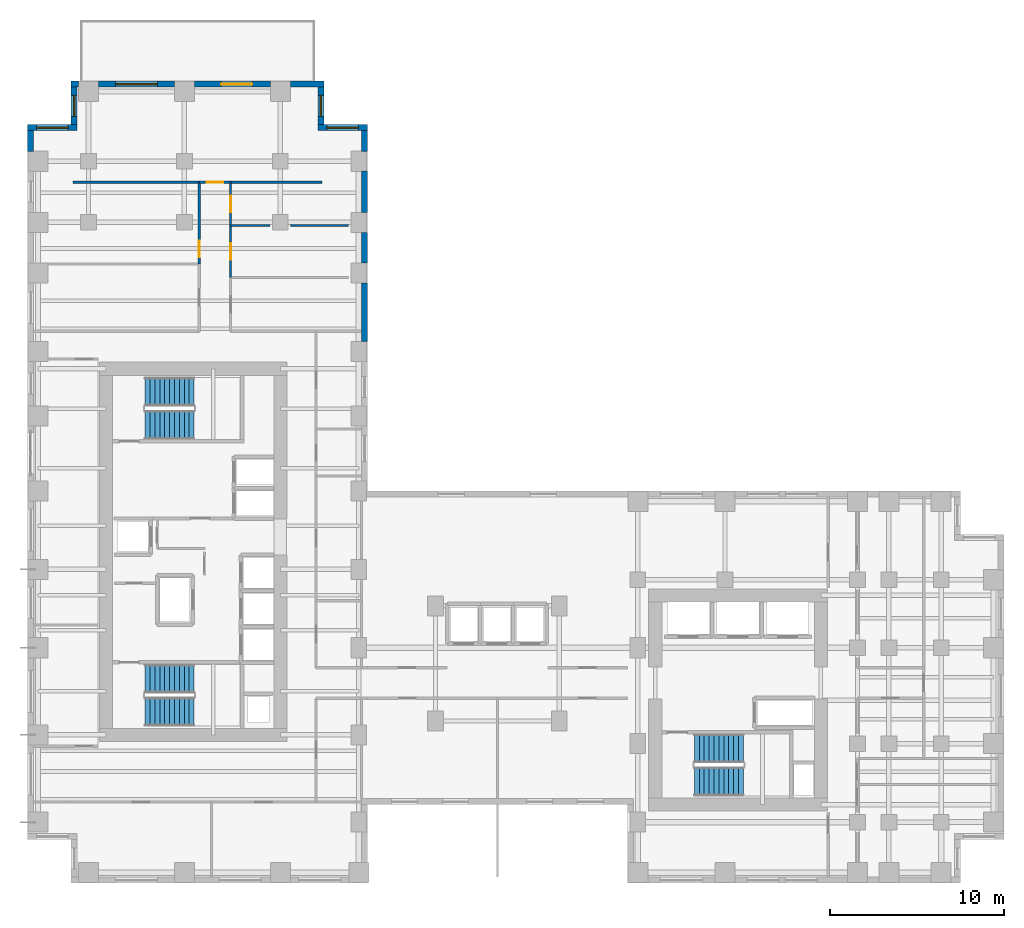
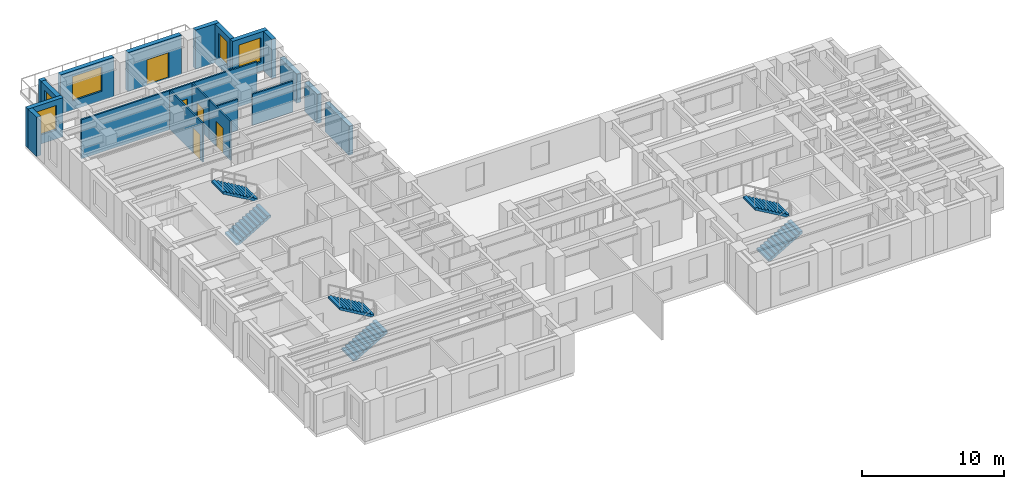
# One storey, part 10 of 13: 21 walls, 6 stair flights, 5 doors, 5 windows, 10 openings, 3 elements without a shape of their own.
"""IFC4 building model written with IfcOpenShell, lengths in metres."""

import ifcopenshell
import ifcopenshell.guid

model = None  # the IFC model being written
_history = None  # IfcOwnerHistory: only IFC2X3 demands one
_inside = {}  # id of a spatial element -> (the spatial element, [elements in it])
_under = {}  # id of a project, library or spatial element -> (it, [spatial elements below it])
_declared = {}  # id of a project -> (the project, [libraries it declares])
_typed = {}  # id of a type object -> (the type object, [elements of that type])
_made_of = {}  # id of a material, layer set ... -> (it, [elements and type objects made of it])


def new_model(schema):
    """Start an empty IFC model of exactly this schema.

    Asked for "IFC4X3", IfcOpenShell would pick the latest addendum, in which some entities
    have other attributes; the version numbers below select the first issue.
    IFC2X3 requires an IfcOwnerHistory on every rooted entity: one is made here for all.
    """
    global model, _history
    if schema == "IFC4X3":
        model = ifcopenshell.file(schema_version=(4, 3, 0, 0))
    else:
        model = ifcopenshell.file(schema=schema)
    _inside.clear()
    _under.clear()
    _declared.clear()
    _typed.clear()
    _made_of.clear()
    _history = None
    if model.schema == "IFC2X3":
        org = make("IfcOrganization", Name="unknown")
        user = make(
            "IfcPersonAndOrganization",
            ThePerson=make("IfcPerson", FamilyName="unknown"),
            TheOrganization=org,
        )
        app = make(
            "IfcApplication",
            ApplicationDeveloper=org,
            Version="unknown",
            ApplicationFullName="unknown",
            ApplicationIdentifier="unknown",
        )
        _history = make(
            "IfcOwnerHistory",
            OwningUser=user,
            OwningApplication=app,
            ChangeAction="ADDED",
            CreationDate=0,
        )
    return model


def make(cls, **values):
    """One entity of the class cls with the attributes given. An attribute that is None is left unset."""
    return model.create_entity(
        cls, **{name: value for name, value in values.items() if value is not None}
    )


def rooted(cls, **values):
    """An entity with a GlobalId (a new one), such as an element, a storey or a relation."""
    return make(cls, GlobalId=ifcopenshell.guid.new(), OwnerHistory=_history, **values)


def si_unit(unit_type, name, prefix=None):
    """IfcSIUnit, for example si_unit("LENGTHUNIT", "METRE", prefix="MILLI")."""
    return make("IfcSIUnit", UnitType=unit_type, Prefix=prefix, Name=name)


def assignment(units):
    """IfcUnitAssignment: the units of a project."""
    return None if units is None else make("IfcUnitAssignment", Units=units)


def point(xyz):
    """IfcCartesianPoint."""
    return None if xyz is None else make("IfcCartesianPoint", Coordinates=xyz)


def direction(xyz):
    """IfcDirection."""
    return None if xyz is None else make("IfcDirection", DirectionRatios=xyz)


def frame(location, z_axis=None, x_axis=None):
    """IfcAxis2Placement3D, a coordinate frame: its origin and axes. An axis left out is left unset."""
    return make(
        "IfcAxis2Placement3D",
        Location=point(location),
        Axis=direction(z_axis),
        RefDirection=direction(x_axis),
    )


def frame_2d(location, x_axis=None):
    """IfcAxis2Placement2D, a coordinate frame in the plane: its origin and x axis."""
    return make(
        "IfcAxis2Placement2D", Location=point(location), RefDirection=direction(x_axis)
    )


def origin():
    """The frame at (0, 0, 0) with its axes left unset."""
    return frame((0.0, 0.0, 0.0))


def place(relative_to, where):
    """IfcLocalPlacement: puts the frame where relative to a parent placement (None: the world)."""
    return make(
        "IfcLocalPlacement", PlacementRelTo=relative_to, RelativePlacement=where
    )


def context(
    kind, dimensions, precision=None, world=None, true_north=None, identifier=None
):
    """IfcGeometricRepresentationContext, for example the 3D "Model" context."""
    return make(
        "IfcGeometricRepresentationContext",
        ContextIdentifier=identifier,
        ContextType=kind,
        CoordinateSpaceDimension=dimensions,
        Precision=precision,
        WorldCoordinateSystem=world,
        TrueNorth=true_north,
    )


def subcontext(parent, identifier, kind, view, scale=None):
    """IfcGeometricRepresentationSubContext, for example "Body" below "Model"."""
    return make(
        "IfcGeometricRepresentationSubContext",
        ContextIdentifier=identifier,
        ContextType=kind,
        ParentContext=parent,
        TargetScale=scale,
        TargetView=view,
    )


def project(units=None, contexts=None):
    """IfcProject with its units and contexts."""
    return rooted(
        "IfcProject",
        Name="project",
        RepresentationContexts=contexts,
        UnitsInContext=assignment(units),
    )


def spatial(cls, under=None, at=None, **own):
    """A site, building, storey or space (cls), placed at a placement, below another one or the project."""
    s = rooted(cls, ObjectPlacement=at, **own)
    if under is not None:
        _under.setdefault(under.id(), (under, []))[1].append(s)
    return s


def polyline(points):
    """IfcPolyline through the points."""
    return make("IfcPolyline", Points=[point(p) for p in points])


def profile(cls, at=None, kind="AREA", **sizes):
    """A parametric profile (cls). Its sizes go by their IFC names, for example OverallWidth=200.0."""
    return make(cls, ProfileType=kind, Position=at, **sizes)


def rectangle(**sizes):
    """IfcRectangleProfileDef."""
    return profile("IfcRectangleProfileDef", **sizes)


def outline(outer, holes=None, kind="AREA"):
    """IfcArbitraryClosedProfileDef: a profile drawn as a closed curve; with holes, ...WithVoids."""
    if holes is None:
        return make("IfcArbitraryClosedProfileDef", ProfileType=kind, OuterCurve=outer)
    return make(
        "IfcArbitraryProfileDefWithVoids",
        ProfileType=kind,
        OuterCurve=outer,
        InnerCurves=holes,
    )


def extrude(swept, where, along, depth):
    """IfcExtrudedAreaSolid: the profile swept, set in the frame where, extruded along a direction by depth."""
    return make(
        "IfcExtrudedAreaSolid",
        SweptArea=swept,
        Position=where,
        ExtrudedDirection=direction(along),
        Depth=depth,
    )


def shape(context_of_items, identifier, shape_type, items):
    """IfcShapeRepresentation: the items that make up one representation, for example the "Body"."""
    return make(
        "IfcShapeRepresentation",
        ContextOfItems=context_of_items,
        RepresentationIdentifier=identifier,
        RepresentationType=shape_type,
        Items=items,
    )


def source(mapping_origin, context_of_items, identifier, shape_type, items):
    """IfcRepresentationMap: a shape defined once, which mapped items show again and again."""
    return make(
        "IfcRepresentationMap",
        MappingOrigin=mapping_origin,
        MappedRepresentation=shape(context_of_items, identifier, shape_type, items),
    )


def transform(
    local_origin,
    x_axis=None,
    y_axis=None,
    z_axis=None,
    scale=None,
    scale2=None,
    scale3=None,
    uniform=True,
):
    """IfcCartesianTransformationOperator3D, or its non-uniform kind. x_axis, y_axis, z_axis: its Axis1, 2, 3."""
    if uniform:
        return make(
            "IfcCartesianTransformationOperator3D",
            Axis1=direction(x_axis),
            Axis2=direction(y_axis),
            LocalOrigin=point(local_origin),
            Scale=scale,
            Axis3=direction(z_axis),
        )
    return make(
        "IfcCartesianTransformationOperator3DnonUniform",
        Axis1=direction(x_axis),
        Axis2=direction(y_axis),
        LocalOrigin=point(local_origin),
        Scale=scale,
        Axis3=direction(z_axis),
        Scale2=scale2,
        Scale3=scale3,
    )


def mapped(mapping_source, mapping_target):
    """IfcMappedItem: shows the shape of a source again, moved by a transform."""
    return make(
        "IfcMappedItem", MappingSource=mapping_source, MappingTarget=mapping_target
    )


def material(Name=None, Category=None):
    """IfcMaterial."""
    return make("IfcMaterial", Name=Name, Category=Category)


def layer(
    of_material, thickness, ventilated=None, Name=None, Category=None, Priority=None
):
    """IfcMaterialLayer: one layer of a wall or slab, of a material (None: an air gap)."""
    return make(
        "IfcMaterialLayer",
        Material=of_material,
        LayerThickness=thickness,
        IsVentilated=ventilated,
        Name=Name,
        Category=Category,
        Priority=Priority,
    )


def layer_set(layers, Name=None):
    """IfcMaterialLayerSet."""
    return make("IfcMaterialLayerSet", MaterialLayers=layers, LayerSetName=Name)


def made_of(thing, what):
    """Note that an element or type object is made of a material, layer set ...; save() writes the relation."""
    if what is not None:
        _made_of.setdefault(what.id(), (what, []))[1].append(thing)
    return thing


def type_object(cls, material=None, **own):
    """A type object (cls), such as IfcWallType, which elements share."""
    return made_of(rooted(cls, **own), material)


def element(
    cls,
    number,
    at=None,
    inside=None,
    cuts=None,
    type_object=None,
    material=None,
    context=None,
    identifier="Body",
    shape_type=None,
    held_by="IfcProductDefinitionShape",
    body=None,
    shapes=None,
    **own,
):
    """One element of the class cls, such as IfcWall. Its Tag is "e" and its number.

    at: its placement. inside: the storey or other place that contains it. cuts: it is an
    opening in that element (IfcRelVoidsElement). A single representation is given by context,
    identifier, shape_type and body (its items); several are given by shapes. held_by: the class
    of the entity that holds the representations. save() writes the other relations.
    """
    e = rooted(cls, Tag="e%d" % number, ObjectPlacement=at, **own)
    if body is not None:
        shapes = [shape(context, identifier, shape_type, body)]
    if shapes is not None:
        e.Representation = make(held_by, Representations=shapes)
    if inside is not None:
        _inside.setdefault(inside.id(), (inside, []))[1].append(e)
    if cuts is not None:
        rooted(
            "IfcRelVoidsElement", RelatingBuildingElement=cuts, RelatedOpeningElement=e
        )
    if type_object is not None:
        _typed.setdefault(type_object.id(), (type_object, []))[1].append(e)
    return made_of(e, material)


def fill(opening, filler):
    """IfcRelFillsElement: the door or window that sits in an opening."""
    return rooted(
        "IfcRelFillsElement",
        RelatingOpeningElement=opening,
        RelatedBuildingElement=filler,
    )


def aggregate(whole, parts):
    """IfcRelAggregates: a whole, such as a stair, and the parts it consists of."""
    return rooted("IfcRelAggregates", RelatingObject=whole, RelatedObjects=parts)


def save(model, path):
    """Write the relations noted so far, then the file.

    IfcRelAggregates (storeys below a building ...), IfcRelContainedInSpatialStructure (elements
    in a storey), IfcRelDefinesByType, IfcRelAssociatesMaterial and IfcRelDeclares: one each for
    every whole, place, type object, material and project.
    """
    for whole, parts in _under.values():
        aggregate(whole, parts)
    for where, things in _inside.values():
        rooted(
            "IfcRelContainedInSpatialStructure",
            RelatedElements=things,
            RelatingStructure=where,
        )
    for kind, things in _typed.values():
        rooted("IfcRelDefinesByType", RelatedObjects=things, RelatingType=kind)
    for what, things in _made_of.values():
        rooted("IfcRelAssociatesMaterial", RelatedObjects=things, RelatingMaterial=what)
    for by, libraries in _declared.values():
        rooted("IfcRelDeclares", RelatingContext=by, RelatedDefinitions=libraries)
    model.write(path)


model = new_model("IFC4")

# Units and contexts
model_context = context("Model", 3, precision=1e-05, world=origin(), true_north=direction((0.0, 1.0)))
body_context = subcontext(model_context, "Body", "Model", "MODEL_VIEW")
ifc_project = project(units=[si_unit("LENGTHUNIT", "METRE"), si_unit("AREAUNIT", "SQUARE_METRE"), si_unit("VOLUMEUNIT", "CUBIC_METRE"), si_unit("PLANEANGLEUNIT", "RADIAN"), si_unit("MASSUNIT", "GRAM", prefix="KILO")], contexts=[model_context])

# Site, building, storey
site_placement = place(None, origin())
site = spatial("IfcSite", under=ifc_project, at=site_placement, CompositionType="ELEMENT")
building_placement = place(site_placement, origin())
building = spatial("IfcBuilding", under=site, at=building_placement, Name="Kharzan Plaza Tower", CompositionType="ELEMENT")
storey_placement = place(building_placement, frame((0.0, 0.0, 77.39990234375)))
storey = spatial("IfcBuildingStorey", under=building, at=storey_placement, Name="L20", CompositionType="ELEMENT", Elevation=77.39990234375)

# Wall, opening, window
ifc_material_1 = material(Name="Concrete C40/50", Category="concrete")
ifc_layer_1 = layer(ifc_material_1, 0.35009765625)
ifc_layer_set_1 = layer_set([ifc_layer_1], Name="Concrete C40/50")
wall_type_1 = type_object("IfcWallType", Name="WL-EXT-MAS-Z2", PredefinedType="SOLIDWALL", material=ifc_layer_set_1)
wall_1_placement = place(storey_placement, frame((19.5, 43.324951171875, 0.0), z_axis=(0.0, 0.0, 1.0), x_axis=(-1.0, 0.0, 0.0)))
wall_1 = element("IfcWall", 1, at=wall_1_placement, inside=storey, type_object=wall_type_1, Name="L20 Masonry-Frame Exterior Wall 01", PredefinedType="SOLIDWALL", context=body_context, shape_type="SweptSolid", body=[
    extrude(rectangle(XDim=2.85009765625, YDim=0.35009765625, at=frame_2d((1.425048828125, 0.0))), origin(), (0.0, 0.0, 1.0), 3.364990234375),
])
opening_1_placement = place(wall_1_placement, frame((0.52490234375, 0.0, 0.780029296875)))
opening_1 = element("IfcOpeningElement", 2, at=opening_1_placement, cuts=wall_1, Name="Opening W1", PredefinedType="OPENING", context=body_context, shape_type="SweptSolid", body=[
    extrude(rectangle(XDim=1.800048828125, YDim=2.10009765625, at=frame_2d((0.89990234375, 1.050048828125))), frame((0.0, 0.18505859375, 0.0), z_axis=(0.0, -1.0, 0.0), x_axis=(1.0, 0.0, 0.0)), (0.0, 0.0, 1.0), 0.3701171875),
])
ifc_material_2 = material(Name="Low-E Double Glazing", Category="glass")
window_type_1 = type_object("IfcWindowType", Name="WN-REC-1800x2100", PartitioningType="SINGLE_PANEL", PredefinedType="WINDOW", material=ifc_material_2)
shared_shape_1 = source(origin(), body_context, "Body", "SweptSolid", [
    extrude(rectangle(XDim=1.800048828125, YDim=2.10009765625, at=frame_2d((0.89990234375, 1.050048828125))), frame((0.0, 0.030029296875, 0.0), z_axis=(0.0, -1.0, 0.0), x_axis=(1.0, 0.0, 0.0)), (0.0, 0.0, 1.0), 0.06005859375),
])
window_1_placement = place(opening_1_placement, origin())
window_1 = element("IfcWindow", 3, at=window_1_placement, inside=storey, type_object=window_type_1, Name="L20 Recessed Solar-Control Window 01-1", OverallHeight=2.10009765625, OverallWidth=1.800048828125, PartitioningType="SINGLE_PANEL", PredefinedType="WINDOW", context=body_context, shape_type="MappedRepresentation", body=[
    mapped(shared_shape_1, transform((0.0, 0.0, 0.0), x_axis=(1.0, 0.0, 0.0), y_axis=(0.0, 1.0, 0.0), z_axis=(0.0, 0.0, 1.0))),
])
fill(opening_1, window_1)

wall_2_placement = place(storey_placement, frame((16.824951171875, 43.498046875, 0.0), z_axis=(0.0, 0.0, 1.0), x_axis=(0.0, 1.0, 0.0)))
wall_2 = element("IfcWall", 4, at=wall_2_placement, inside=storey, type_object=wall_type_1, Name="L20 Masonry-Frame Exterior Wall 02", PredefinedType="SOLIDWALL", context=body_context, shape_type="SweptSolid", body=[
    extrude(rectangle(XDim=2.154052734375, YDim=0.35009765625, at=frame_2d((1.0771484375, 0.0))), origin(), (0.0, 0.0, 1.0), 3.364990234375),
])
opening_2_placement = place(wall_2_placement, frame((0.47705078125, 0.0, 0.780029296875)))
opening_2 = element("IfcOpeningElement", 5, at=opening_2_placement, cuts=wall_2, Name="Opening W3", PredefinedType="OPENING", context=body_context, shape_type="SweptSolid", body=[
    extrude(rectangle(XDim=1.199951171875, YDim=2.10009765625, at=frame_2d((0.60009765625, 1.050048828125))), frame((0.0, 0.18505859375, 0.0), z_axis=(0.0, -1.0, 0.0), x_axis=(1.0, 0.0, 0.0)), (0.0, 0.0, 1.0), 0.3701171875),
])
window_type_2 = type_object("IfcWindowType", Name="WN-REC-1200x2100", PartitioningType="SINGLE_PANEL", PredefinedType="WINDOW", material=ifc_material_2)
shared_shape_2 = source(origin(), body_context, "Body", "SweptSolid", [
    extrude(rectangle(XDim=1.199951171875, YDim=2.10009765625, at=frame_2d((0.60009765625, 1.050048828125))), frame((0.0, 0.030029296875, 0.0), z_axis=(0.0, -1.0, 0.0), x_axis=(1.0, 0.0, 0.0)), (0.0, 0.0, 1.0), 0.06005859375),
])
window_2_placement = place(opening_2_placement, origin())
window_2 = element("IfcWindow", 6, at=window_2_placement, inside=storey, type_object=window_type_2, Name="L20 Recessed Solar-Control Window 02-1", OverallHeight=2.10009765625, OverallWidth=1.199951171875, PartitioningType="SINGLE_PANEL", PredefinedType="WINDOW", context=body_context, shape_type="MappedRepresentation", body=[
    mapped(shared_shape_2, transform((0.0, 0.0, 0.0), x_axis=(1.0, 0.0, 0.0), y_axis=(0.0, 1.0, 0.0), z_axis=(0.0, 0.0, 1.0))),
])
fill(opening_2, window_2)

# Wall, opening, door
wall_3_placement = place(storey_placement, frame((13.927001953125, 45.824951171875, 0.0), z_axis=(0.0, 0.0, 1.0), x_axis=(-1.0, 0.0, 0.0)))
wall_3 = element("IfcWall", 7, at=wall_3_placement, inside=storey, type_object=wall_type_1, Name="L20 Masonry-Frame Exterior Wall 04", PredefinedType="SOLIDWALL", context=body_context, shape_type="SweptSolid", body=[
    extrude(rectangle(XDim=4.35400390625, YDim=0.35009765625, at=frame_2d((2.177001953125, 0.0))), origin(), (0.0, 0.0, 1.0), 3.364990234375),
])
opening_3_placement = place(wall_3_placement, frame((1.027099609375, 0.0, 0.0)))
opening_3 = element("IfcOpeningElement", 8, at=opening_3_placement, cuts=wall_3, Name="Opening ED2", PredefinedType="OPENING", context=body_context, shape_type="SweptSolid", body=[
    extrude(rectangle(XDim=1.800048828125, YDim=2.199951171875, at=frame_2d((0.89990234375, 1.10009765625))), frame((0.0, 0.18505859375, 0.0), z_axis=(0.0, -1.0, 0.0), x_axis=(1.0, 0.0, 0.0)), (0.0, 0.0, 1.0), 0.3701171875),
])
ifc_material_3 = material(Name="Thermally Broken Anodized Bronze Aluminium", Category="aluminium")
door_type_1 = type_object("IfcDoorType", Name="DR-EXT-TERR-1800", OperationType="DOUBLE_DOOR_SINGLE_SWING", PredefinedType="DOOR", material=ifc_material_3)
shared_shape_3 = source(origin(), body_context, "Body", "SweptSolid", [
    extrude(rectangle(XDim=1.800048828125, YDim=2.199951171875, at=frame_2d((0.89990234375, 1.10009765625))), frame((0.0, 0.02490234375, 0.0), z_axis=(0.0, -1.0, 0.0), x_axis=(1.0, 0.0, 0.0)), (0.0, 0.0, 1.0), 0.050048828125),
])
door_1_placement = place(opening_3_placement, frame((1.800048828125, 0.0, 0.0), z_axis=(0.0, 0.0, 1.0), x_axis=(-1.0, 0.0, 0.0)))
door_1 = element("IfcDoor", 9, at=door_1_placement, inside=storey, type_object=door_type_1, Name="L20 Walkable Sky-Terrace Access Door", OperationType="DOUBLE_DOOR_SINGLE_SWING", OverallHeight=2.199951171875, OverallWidth=1.800048828125, PredefinedType="DOOR", context=body_context, shape_type="MappedRepresentation", body=[
    mapped(shared_shape_3, transform((0.0, 0.0, 0.0), x_axis=(1.0, 0.0, 0.0), y_axis=(0.0, 1.0, 0.0), z_axis=(0.0, 0.0, 1.0))),
])
fill(opening_3, door_1)

# Wall, opening, window
wall_4_placement = place(storey_placement, frame((8.427001953125, 45.824951171875, 0.0), z_axis=(0.0, 0.0, 1.0), x_axis=(-1.0, 0.0, 0.0)))
wall_4 = element("IfcWall", 10, at=wall_4_placement, inside=storey, type_object=wall_type_1, Name="L20 Masonry-Frame Exterior Wall 05", PredefinedType="SOLIDWALL", context=body_context, shape_type="SweptSolid", body=[
    extrude(rectangle(XDim=4.35400390625, YDim=0.35009765625, at=frame_2d((2.177001953125, 0.0))), origin(), (0.0, 0.0, 1.0), 3.364990234375),
])
opening_4_placement = place(wall_4_placement, frame((0.97705078125, 0.0, 0.780029296875)))
opening_4 = element("IfcOpeningElement", 11, at=opening_4_placement, cuts=wall_4, Name="Opening W2", PredefinedType="OPENING", context=body_context, shape_type="SweptSolid", body=[
    extrude(rectangle(XDim=2.39990234375, YDim=2.10009765625, at=frame_2d((1.199951171875, 1.050048828125))), frame((0.0, 0.18505859375, 0.0), z_axis=(0.0, -1.0, 0.0), x_axis=(1.0, 0.0, 0.0)), (0.0, 0.0, 1.0), 0.3701171875),
])
window_type_3 = type_object("IfcWindowType", Name="WN-REC-2400x2100", PartitioningType="SINGLE_PANEL", PredefinedType="WINDOW", material=ifc_material_2)
shared_shape_4 = source(origin(), body_context, "Body", "SweptSolid", [
    extrude(rectangle(XDim=2.39990234375, YDim=2.10009765625, at=frame_2d((1.199951171875, 1.050048828125))), frame((0.0, 0.030029296875, 0.0), z_axis=(0.0, -1.0, 0.0), x_axis=(1.0, 0.0, 0.0)), (0.0, 0.0, 1.0), 0.06005859375),
])
window_3_placement = place(opening_4_placement, origin())
window_3 = element("IfcWindow", 12, at=window_3_placement, inside=storey, type_object=window_type_3, Name="L20 Wide Recessed Solar-Control Window 05-1", OverallHeight=2.10009765625, OverallWidth=2.39990234375, PartitioningType="SINGLE_PANEL", PredefinedType="WINDOW", context=body_context, shape_type="MappedRepresentation", body=[
    mapped(shared_shape_4, transform((0.0, 0.0, 0.0), x_axis=(1.0, 0.0, 0.0), y_axis=(0.0, 1.0, 0.0), z_axis=(0.0, 0.0, 1.0))),
])
fill(opening_4, window_3)

wall_5_placement = place(storey_placement, frame((2.675048828125, 45.652099609375, 0.0), z_axis=(0.0, 0.0, 1.0), x_axis=(0.0, -1.0, 0.0)))
wall_5 = element("IfcWall", 13, at=wall_5_placement, inside=storey, type_object=wall_type_1, Name="L20 Masonry-Frame Exterior Wall 07", PredefinedType="SOLIDWALL", context=body_context, shape_type="SweptSolid", body=[
    extrude(rectangle(XDim=2.154052734375, YDim=0.35009765625, at=frame_2d((1.0771484375, 0.0))), origin(), (0.0, 0.0, 1.0), 3.364990234375),
])
opening_5_placement = place(wall_5_placement, frame((0.47705078125, 0.0, 0.780029296875)))
opening_5 = element("IfcOpeningElement", 14, at=opening_5_placement, cuts=wall_5, Name="Opening W3", PredefinedType="OPENING", context=body_context, shape_type="SweptSolid", body=[
    extrude(rectangle(XDim=1.199951171875, YDim=2.10009765625, at=frame_2d((0.60009765625, 1.050048828125))), frame((0.0, 0.18505859375, 0.0), z_axis=(0.0, -1.0, 0.0), x_axis=(1.0, 0.0, 0.0)), (0.0, 0.0, 1.0), 0.3701171875),
])
window_4_placement = place(opening_5_placement, origin())
window_4 = element("IfcWindow", 15, at=window_4_placement, inside=storey, type_object=window_type_2, Name="L20 Recessed Solar-Control Window 07-1", OverallHeight=2.10009765625, OverallWidth=1.199951171875, PartitioningType="SINGLE_PANEL", PredefinedType="WINDOW", context=body_context, shape_type="MappedRepresentation", body=[
    mapped(shared_shape_2, transform((0.0, 0.0, 0.0), x_axis=(1.0, 0.0, 0.0), y_axis=(0.0, 1.0, 0.0), z_axis=(0.0, 0.0, 1.0))),
])
fill(opening_5, window_4)

wall_6_placement = place(storey_placement, frame((2.85009765625, 43.324951171875, 0.0), z_axis=(0.0, 0.0, 1.0), x_axis=(-1.0, 0.0, 0.0)))
wall_6 = element("IfcWall", 16, at=wall_6_placement, inside=storey, type_object=wall_type_1, Name="L20 Masonry-Frame Exterior Wall 08", PredefinedType="SOLIDWALL", context=body_context, shape_type="SweptSolid", body=[
    extrude(rectangle(XDim=2.85009765625, YDim=0.35009765625, at=frame_2d((1.425048828125, 0.0))), origin(), (0.0, 0.0, 1.0), 3.364990234375),
])
opening_6_placement = place(wall_6_placement, frame((0.52490234375, 0.0, 0.780029296875)))
opening_6 = element("IfcOpeningElement", 17, at=opening_6_placement, cuts=wall_6, Name="Opening W1", PredefinedType="OPENING", context=body_context, shape_type="SweptSolid", body=[
    extrude(rectangle(XDim=1.800048828125, YDim=2.10009765625, at=frame_2d((0.89990234375, 1.050048828125))), frame((0.0, 0.18505859375, 0.0), z_axis=(0.0, -1.0, 0.0), x_axis=(1.0, 0.0, 0.0)), (0.0, 0.0, 1.0), 0.3701171875),
])
window_5_placement = place(opening_6_placement, origin())
window_5 = element("IfcWindow", 18, at=window_5_placement, inside=storey, type_object=window_type_1, Name="L20 Recessed Solar-Control Window 08-1", OverallHeight=2.10009765625, OverallWidth=1.800048828125, PartitioningType="SINGLE_PANEL", PredefinedType="WINDOW", context=body_context, shape_type="MappedRepresentation", body=[
    mapped(shared_shape_1, transform((0.0, 0.0, 0.0), x_axis=(1.0, 0.0, 0.0), y_axis=(0.0, 1.0, 0.0), z_axis=(0.0, 0.0, 1.0))),
])
fill(opening_6, window_5)

# Wall, opening, door
ifc_material_4 = material(Name="Fire-Rated Gypsum Board Partition", Category="gypsum")
ifc_layer_2 = layer(ifc_material_4, 0.125)
ifc_layer_set_2 = layer_set([ifc_layer_2], Name="Fire-Rated Gypsum Board Partition")
wall_type_2 = type_object("IfcWallType", Name="WL-INT-PART-125", PredefinedType="PARTITIONING", material=ifc_layer_set_2)
wall_7_placement = place(storey_placement, frame((11.64990234375, 34.72802734375, 0.0), z_axis=(0.0, 0.0, 1.0), x_axis=(0.0, 1.0, 0.0)))
wall_7 = element("IfcWall", 19, at=wall_7_placement, inside=storey, type_object=wall_type_2, Name="L20 Interior Partition SH-SPE-2", PredefinedType="PARTITIONING", context=body_context, shape_type="SweptSolid", body=[
    extrude(rectangle(XDim=2.992919921875, YDim=0.125, at=frame_2d((1.49658203125, 0.0))), origin(), (0.0, 0.0, 1.0), 3.364990234375),
])
opening_7_placement = place(wall_7_placement, frame((1.021484375, 0.0, 0.0)))
opening_7 = element("IfcOpeningElement", 20, at=opening_7_placement, cuts=wall_7, Name="Opening OD1", PredefinedType="OPENING", context=body_context, shape_type="SweptSolid", body=[
    extrude(rectangle(XDim=0.949951171875, YDim=2.14990234375, at=frame_2d((0.47509765625, 1.074951171875))), frame((0.0, 0.072509765625, 0.0), z_axis=(0.0, -1.0, 0.0), x_axis=(1.0, 0.0, 0.0)), (0.0, 0.0, 1.0), 0.14501953125),
])
ifc_material_5 = material(Name="Acoustic Solid-Core Stained Oak", Category="timber")
door_type_2 = type_object("IfcDoorType", Name="DR-OFF-SINGLE", OperationType="NOTDEFINED", PredefinedType="DOOR", material=ifc_material_5)
shared_shape_5 = source(origin(), body_context, "Body", "SweptSolid", [
    extrude(rectangle(XDim=0.949951171875, YDim=2.14990234375, at=frame_2d((0.47509765625, 1.074951171875))), frame((0.0, 0.02490234375, 0.0), z_axis=(0.0, -1.0, 0.0), x_axis=(1.0, 0.0, 0.0)), (0.0, 0.0, 1.0), 0.050048828125),
])
door_2_placement = place(opening_7_placement, origin())
door_2 = element("IfcDoor", 21, at=door_2_placement, inside=storey, type_object=door_type_2, Name="L20 Maritime Simulation Studio Door", OperationType="SINGLE_SWING_RIGHT", OverallHeight=2.14990234375, OverallWidth=0.949951171875, PredefinedType="DOOR", context=body_context, shape_type="MappedRepresentation", body=[
    mapped(shared_shape_5, transform((0.0, 0.0, 0.0), x_axis=(1.0, 0.0, 0.0), y_axis=(0.0, 1.0, 0.0), z_axis=(0.0, 0.0, 1.0))),
])
fill(opening_7, door_2)

wall_8_placement = place(storey_placement, frame((11.64990234375, 37.720947265625, 0.0), z_axis=(0.0, 0.0, 1.0), x_axis=(0.0, 1.0, 0.0)))
wall_8 = element("IfcWall", 22, at=wall_8_placement, inside=storey, type_object=wall_type_2, Name="L20 Interior Partition SH-SPE-3", PredefinedType="PARTITIONING", context=body_context, shape_type="SweptSolid", body=[
    extrude(rectangle(XDim=2.47900390625, YDim=0.125, at=frame_2d((1.239501953125, 0.0))), origin(), (0.0, 0.0, 1.0), 3.364990234375),
])
opening_8_placement = place(wall_8_placement, frame((0.764404296875, 0.0, 0.0)))
opening_8 = element("IfcOpeningElement", 23, at=opening_8_placement, cuts=wall_8, Name="Opening OD1", PredefinedType="OPENING", context=body_context, shape_type="SweptSolid", body=[
    extrude(rectangle(XDim=0.949951171875, YDim=2.14990234375, at=frame_2d((0.47509765625, 1.074951171875))), frame((0.0, 0.072509765625, 0.0), z_axis=(0.0, -1.0, 0.0), x_axis=(1.0, 0.0, 0.0)), (0.0, 0.0, 1.0), 0.14501953125),
])
door_3_placement = place(opening_8_placement, origin())
door_3 = element("IfcDoor", 24, at=door_3_placement, inside=storey, type_object=door_type_2, Name="L20 Maritime Simulation Studio Door", OperationType="SINGLE_SWING_LEFT", OverallHeight=2.14990234375, OverallWidth=0.949951171875, PredefinedType="DOOR", context=body_context, shape_type="MappedRepresentation", body=[
    mapped(shared_shape_5, transform((0.0, 0.0, 0.0), x_axis=(1.0, 0.0, 0.0), y_axis=(0.0, 1.0, 0.0), z_axis=(0.0, 0.0, 1.0))),
])
fill(opening_8, door_3)

wall_9_placement = place(storey_placement, frame((9.85009765625, 40.199951171875, 0.0), z_axis=(0.0, 0.0, 1.0), x_axis=(1.0, 0.0, 0.0)))
wall_9 = element("IfcWall", 25, at=wall_9_placement, inside=storey, type_object=wall_type_2, Name="L20 Interior Partition SH-SPHD", PredefinedType="PARTITIONING", context=body_context, shape_type="SweptSolid", body=[
    extrude(rectangle(XDim=1.7998046875, YDim=0.125, at=frame_2d((0.89990234375, 0.0))), origin(), (0.0, 0.0, 1.0), 3.364990234375),
])
opening_9_placement = place(wall_9_placement, frame((0.425048828125, 0.0, 0.0)))
opening_9 = element("IfcOpeningElement", 26, at=opening_9_placement, cuts=wall_9, Name="Opening OD1", PredefinedType="OPENING", context=body_context, shape_type="SweptSolid", body=[
    extrude(rectangle(XDim=0.949951171875, YDim=2.14990234375, at=frame_2d((0.47509765625, 1.074951171875))), frame((0.0, 0.072509765625, 0.0), z_axis=(0.0, -1.0, 0.0), x_axis=(1.0, 0.0, 0.0)), (0.0, 0.0, 1.0), 0.14501953125),
])
door_4_placement = place(opening_9_placement, origin())
door_4 = element("IfcDoor", 27, at=door_4_placement, inside=storey, type_object=door_type_2, Name="L20 North Boardroom Door", OperationType="SINGLE_SWING_RIGHT", OverallHeight=2.14990234375, OverallWidth=0.949951171875, PredefinedType="DOOR", context=body_context, shape_type="MappedRepresentation", body=[
    mapped(shared_shape_5, transform((0.0, 0.0, 0.0), x_axis=(1.0, 0.0, 0.0), y_axis=(0.0, 1.0, 0.0), z_axis=(0.0, 0.0, 1.0))),
])
fill(opening_9, door_4)

wall_10_placement = place(storey_placement, frame((9.85009765625, 35.498046875, 0.0), z_axis=(0.0, 0.0, 1.0), x_axis=(0.0, 1.0, 0.0)))
wall_10 = element("IfcWall", 28, at=wall_10_placement, inside=storey, type_object=wall_type_2, Name="L20 Interior Partition SH-SPW-2", PredefinedType="PARTITIONING", context=body_context, shape_type="SweptSolid", body=[
    extrude(rectangle(XDim=4.701904296875, YDim=0.125, at=frame_2d((2.35107421875, 0.0))), origin(), (0.0, 0.0, 1.0), 3.364990234375),
])
opening_10_placement = place(wall_10_placement, frame((0.39208984375, 0.0, 0.0)))
opening_10 = element("IfcOpeningElement", 29, at=opening_10_placement, cuts=wall_10, Name="Opening OD1", PredefinedType="OPENING", context=body_context, shape_type="SweptSolid", body=[
    extrude(rectangle(XDim=0.949951171875, YDim=2.14990234375, at=frame_2d((0.47509765625, 1.074951171875))), frame((0.0, 0.072509765625, 0.0), z_axis=(0.0, -1.0, 0.0), x_axis=(1.0, 0.0, 0.0)), (0.0, 0.0, 1.0), 0.14501953125),
])
door_5_placement = place(opening_10_placement, origin())
door_5 = element("IfcDoor", 30, at=door_5_placement, inside=storey, type_object=door_type_2, Name="L20 Staff Tea Pantry Door", OperationType="SINGLE_SWING_LEFT", OverallHeight=2.14990234375, OverallWidth=0.949951171875, PredefinedType="DOOR", context=body_context, shape_type="MappedRepresentation", body=[
    mapped(shared_shape_5, transform((0.0, 0.0, 0.0), x_axis=(1.0, 0.0, 0.0), y_axis=(0.0, 1.0, 0.0), z_axis=(0.0, 0.0, 1.0))),
])
fill(opening_10, door_5)

# Walls
shared_shape_6 = source(origin(), body_context, "Body", "SweptSolid", [
    extrude(rectangle(XDim=5.25, YDim=0.125, at=frame_2d((2.625, 0.0))), origin(), (0.0, 0.0, 1.0), 3.364990234375),
])
wall_11_placement = place(storey_placement, frame((11.64990234375, 40.199951171875, 0.0), z_axis=(0.0, 0.0, 1.0), x_axis=(1.0, 0.0, 0.0)))
element("IfcWall", 31, at=wall_11_placement, inside=storey, type_object=wall_type_2, Name="L20 Interior Partition SH-SPHE", PredefinedType="PARTITIONING", context=body_context, shape_type="MappedRepresentation", body=[
    mapped(shared_shape_6, transform((0.0, 0.0, 0.0), x_axis=(1.0, 0.0, 0.0), y_axis=(0.0, 1.0, 0.0), z_axis=(0.0, 0.0, 1.0))),
])
shared_shape_7 = source(origin(), body_context, "Body", "SweptSolid", [
    extrude(rectangle(XDim=7.25, YDim=0.125, at=frame_2d((3.625, 0.0))), origin(), (0.0, 0.0, 1.0), 3.364990234375),
])
wall_12_placement = place(storey_placement, frame((2.60009765625, 40.199951171875, 0.0), z_axis=(0.0, 0.0, 1.0), x_axis=(1.0, 0.0, 0.0)))
element("IfcWall", 32, at=wall_12_placement, inside=storey, type_object=wall_type_2, Name="L20 Interior Partition SH-SPHW", PredefinedType="PARTITIONING", context=body_context, shape_type="MappedRepresentation", body=[
    mapped(shared_shape_7, transform((0.0, 0.0, 0.0), x_axis=(1.0, 0.0, 0.0), y_axis=(0.0, 1.0, 0.0), z_axis=(0.0, 0.0, 1.0))),
])
shared_shape_8 = source(origin(), body_context, "Body", "SweptSolid", [
    extrude(rectangle(XDim=1.927001953125, YDim=0.35009765625, at=frame_2d((0.96337890625, 0.0))), origin(), (0.0, 0.0, 1.0), 3.364990234375),
])
wall_13_placement = place(storey_placement, frame((17.0, 45.824951171875, 0.0), z_axis=(0.0, 0.0, 1.0), x_axis=(-1.0, 0.0, 0.0)))
element("IfcWall", 33, at=wall_13_placement, inside=storey, type_object=wall_type_1, Name="L20 Masonry-Frame Exterior Wall 03", PredefinedType="SOLIDWALL", context=body_context, shape_type="MappedRepresentation", body=[
    mapped(shared_shape_8, transform((0.0, 0.0, 0.0), x_axis=(1.0, 0.0, 0.0), y_axis=(0.0, 1.0, 0.0), z_axis=(0.0, 0.0, 1.0))),
])
shared_shape_9 = source(origin(), body_context, "Body", "SweptSolid", [
    extrude(rectangle(XDim=0.427001953125, YDim=0.35009765625, at=frame_2d((0.21337890625, 0.0))), origin(), (0.0, 0.0, 1.0), 3.364990234375),
])
wall_14_placement = place(storey_placement, frame((2.927001953125, 45.824951171875, 0.0), z_axis=(0.0, 0.0, 1.0), x_axis=(-1.0, 0.0, 0.0)))
element("IfcWall", 34, at=wall_14_placement, inside=storey, type_object=wall_type_1, Name="L20 Masonry-Frame Exterior Wall 06", PredefinedType="SOLIDWALL", context=body_context, shape_type="MappedRepresentation", body=[
    mapped(shared_shape_9, transform((0.0, 0.0, 0.0), x_axis=(1.0, 0.0, 0.0), y_axis=(0.0, 1.0, 0.0), z_axis=(0.0, 0.0, 1.0))),
])
shared_shape_10 = source(origin(), body_context, "Body", "SweptSolid", [
    extrude(rectangle(XDim=1.17919921875, YDim=0.35009765625, at=frame_2d((0.589599609375, 0.0))), origin(), (0.0, 0.0, 1.0), 3.364990234375),
])
for number, where, z_axis, x_axis, name in (
    (35, (0.175048828125, 43.152099609375, 0.0), (0.0, 0.0, 1.0), (0.0, -1.0, 0.0), "L20 Masonry-Frame Exterior Wall 09"),
    (36, (19.324951171875, 41.972900390625, 0.0), (0.0, 0.0, 1.0), (0.0, 1.0, 0.0), "L20 Masonry-Frame Exterior Wall 55"),
):
    element("IfcWall", number, at=place(storey_placement, frame(where, z_axis=z_axis, x_axis=x_axis)), inside=storey, type_object=wall_type_1, Name=name, PredefinedType="SOLIDWALL", context=body_context, shape_type="MappedRepresentation", body=[
        mapped(shared_shape_10, transform((0.0, 0.0, 0.0), x_axis=(1.0, 0.0, 0.0), y_axis=(0.0, 1.0, 0.0), z_axis=(0.0, 0.0, 1.0))),
    ])
shared_shape_11 = source(origin(), body_context, "Body", "SweptSolid", [
    extrude(rectangle(XDim=1.75390625, YDim=0.35009765625, at=frame_2d((0.876953125, 0.0))), origin(), (0.0, 0.0, 1.0), 2.51904296875),
])
wall_15_placement = place(storey_placement, frame((19.324951171875, 35.572998046875, 0.0), z_axis=(0.0, 0.0, 1.0), x_axis=(0.0, 1.0, 0.0)))
element("IfcWall", 37, at=wall_15_placement, inside=storey, type_object=wall_type_1, Name="L20 Masonry-Frame Exterior Wall 53", PredefinedType="SOLIDWALL", context=body_context, shape_type="MappedRepresentation", body=[
    mapped(shared_shape_11, transform((0.0, 0.0, 0.0), x_axis=(1.0, 0.0, 0.0), y_axis=(0.0, 1.0, 0.0), z_axis=(0.0, 0.0, 1.0))),
])
shared_shape_12 = source(origin(), body_context, "Body", "SweptSolid", [
    extrude(rectangle(XDim=3.35400390625, YDim=0.35009765625, at=frame_2d((1.677001953125, 0.0))), origin(), (0.0, 0.0, 1.0), 2.51904296875),
])
wall_16_placement = place(storey_placement, frame((19.324951171875, 31.072998046875, 0.0), z_axis=(0.0, 0.0, 1.0), x_axis=(0.0, 1.0, 0.0)))
element("IfcWall", 38, at=wall_16_placement, inside=storey, type_object=wall_type_1, Name="L20 Masonry-Frame Exterior Wall 52", PredefinedType="SOLIDWALL", context=body_context, shape_type="MappedRepresentation", body=[
    mapped(shared_shape_12, transform((0.0, 0.0, 0.0), x_axis=(1.0, 0.0, 0.0), y_axis=(0.0, 1.0, 0.0), z_axis=(0.0, 0.0, 1.0))),
])
shared_shape_13 = source(origin(), body_context, "Body", "SweptSolid", [
    extrude(rectangle(XDim=2.35400390625, YDim=0.35009765625, at=frame_2d((1.177001953125, 0.0))), origin(), (0.0, 0.0, 1.0), 2.51904296875),
])
wall_17_placement = place(storey_placement, frame((19.324951171875, 38.472900390625, 0.0), z_axis=(0.0, 0.0, 1.0), x_axis=(0.0, 1.0, 0.0)))
element("IfcWall", 39, at=wall_17_placement, inside=storey, type_object=wall_type_1, Name="L20 Masonry-Frame Exterior Wall 54", PredefinedType="SOLIDWALL", context=body_context, shape_type="MappedRepresentation", body=[
    mapped(shared_shape_13, transform((0.0, 0.0, 0.0), x_axis=(1.0, 0.0, 0.0), y_axis=(0.0, 1.0, 0.0), z_axis=(0.0, 0.0, 1.0))),
])
shared_shape_14 = source(origin(), body_context, "Body", "SweptSolid", [
    extrude(rectangle(XDim=3.31982421875, YDim=0.125, at=frame_2d((1.659912109375, 0.0))), origin(), (0.0, 0.0, 1.0), 2.677001953125),
])
wall_18_placement = place(storey_placement, frame((15.090087890625, 37.720947265625, 0.0), z_axis=(0.0, 0.0, 1.0), x_axis=(1.0, 0.0, 0.0)))
element("IfcWall", 40, at=wall_18_placement, inside=storey, type_object=wall_type_2, Name="L20 Interior Partition SH-NEH-2-S2", PredefinedType="PARTITIONING", context=body_context, shape_type="MappedRepresentation", body=[
    mapped(shared_shape_14, transform((0.0, 0.0, 0.0), x_axis=(1.0, 0.0, 0.0), y_axis=(0.0, 1.0, 0.0), z_axis=(0.0, 0.0, 1.0))),
])
shared_shape_15 = source(origin(), body_context, "Body", "SweptSolid", [
    extrude(rectangle(XDim=2.260009765625, YDim=0.125, at=frame_2d((1.1298828125, 0.0))), origin(), (0.0, 0.0, 1.0), 2.677001953125),
])
wall_19_placement = place(storey_placement, frame((11.64990234375, 37.720947265625, 0.0), z_axis=(0.0, 0.0, 1.0), x_axis=(1.0, 0.0, 0.0)))
element("IfcWall", 41, at=wall_19_placement, inside=storey, type_object=wall_type_2, Name="L20 Interior Partition SH-NEH-2-S1", PredefinedType="PARTITIONING", context=body_context, shape_type="MappedRepresentation", body=[
    mapped(shared_shape_15, transform((0.0, 0.0, 0.0), x_axis=(1.0, 0.0, 0.0), y_axis=(0.0, 1.0, 0.0), z_axis=(0.0, 0.0, 1.0))),
])

# Stair, stair flights
stair_type_1 = type_object("IfcStairType", Name="STR-ST-1", PredefinedType="HALF_TURN_STAIR", material=ifc_material_1)
stair_1_placement = place(storey_placement, origin())
stair_1 = element("IfcStair", 42, at=stair_1_placement, inside=storey, type_object=stair_type_1, Name="L20 Protected Exit Stair ST-1", PredefinedType="HALF_TURN_STAIR")
stair_flight_type = type_object("IfcStairFlightType", Name="SFL-1650-R173", PredefinedType="STRAIGHT", material=ifc_material_1)
shared_shape_16 = source(origin(), body_context, "Body", "SweptSolid", [
    extrude(outline(polyline([(-0.0029296875, -0.011962890625), (-0.0029296875, 0.0), (0.0, 0.0), (0.0, 0.16357421875), (0.280029296875, 0.16357421875), (0.280029296875, 0.3271484375), (0.56005859375, 0.3271484375), (0.56005859375, 0.49072265625), (0.840087890625, 0.49072265625), (0.840087890625, 0.654296875), (1.1201171875, 0.654296875), (1.1201171875, 0.81787109375), (1.400146484375, 0.81787109375), (1.400146484375, 0.9814453125), (1.68017578125, 0.9814453125), (1.68017578125, 1.14501953125), (1.960205078125, 1.14501953125), (1.960205078125, 1.30859375), (2.240234375, 1.30859375), (2.240234375, 1.47216796875), (2.520263671875, 1.47216796875), (2.520263671875, 1.6357421875), (2.80029296875, 1.6357421875), (2.80029296875, 1.79931640625), (2.80029296875, 1.462158203125), (0.297119140625, 0.0), (0.297119140625, -0.011962890625), (-0.0029296875, -0.011962890625)])), frame((0.0, 0.824951171875, 0.0), z_axis=(0.0, -1.0, 0.0), x_axis=(1.0, 0.0, 0.0)), (0.0, 0.0, 1.0), 1.64990234375),
])
stair_flight_1_placement = place(storey_placement, frame((6.75, 9.824951171875, 0.0), z_axis=(0.0, 0.0, 1.0), x_axis=(1.0, 0.0, 0.0)))
stair_flight_1 = element("IfcStairFlight", 43, at=stair_flight_1_placement, type_object=stair_flight_type, Name="ST-1 flight 1", NumberOfRisers=11, NumberOfTreads=10, PredefinedType="STRAIGHT", RiserHeight=0.163636364, TreadLength=0.28, context=body_context, shape_type="MappedRepresentation", body=[
    mapped(shared_shape_16, transform((0.0, 0.0, 0.0), x_axis=(1.0, 0.0, 0.0), y_axis=(0.0, 1.0, 0.0), z_axis=(0.0, 0.0, 1.0))),
])
stair_flight_2_placement = place(storey_placement, frame((9.550048828125, 11.72509765625, 1.800048828125), z_axis=(0.0, 0.0, 1.0), x_axis=(-1.0, 0.0, 0.0)))
stair_flight_2 = element("IfcStairFlight", 44, at=stair_flight_2_placement, type_object=stair_flight_type, Name="ST-1 flight 2", NumberOfRisers=11, NumberOfTreads=10, PredefinedType="STRAIGHT", RiserHeight=0.163636364, TreadLength=0.28, context=body_context, shape_type="MappedRepresentation", body=[
    mapped(shared_shape_16, transform((0.0, 0.0, 0.0), x_axis=(1.0, 0.0, 0.0), y_axis=(0.0, 1.0, 0.0), z_axis=(0.0, 0.0, 1.0))),
])
aggregate(stair_1, [stair_flight_1, stair_flight_2])

stair_type_2 = type_object("IfcStairType", Name="STR-ST-2", PredefinedType="HALF_TURN_STAIR", material=ifc_material_1)
stair_2_placement = place(storey_placement, origin())
stair_2 = element("IfcStair", 45, at=stair_2_placement, inside=storey, type_object=stair_type_2, Name="L20 Protected Exit Stair ST-2", PredefinedType="HALF_TURN_STAIR")
stair_flight_3_placement = place(storey_placement, frame((6.75, 26.27490234375, 0.0), z_axis=(0.0, 0.0, 1.0), x_axis=(1.0, 0.0, 0.0)))
stair_flight_3 = element("IfcStairFlight", 46, at=stair_flight_3_placement, type_object=stair_flight_type, Name="ST-2 flight 1", NumberOfRisers=11, NumberOfTreads=10, PredefinedType="STRAIGHT", RiserHeight=0.163636364, TreadLength=0.28, context=body_context, shape_type="MappedRepresentation", body=[
    mapped(shared_shape_16, transform((0.0, 0.0, 0.0), x_axis=(1.0, 0.0, 0.0), y_axis=(0.0, 1.0, 0.0), z_axis=(0.0, 0.0, 1.0))),
])
stair_flight_4_placement = place(storey_placement, frame((9.550048828125, 28.175048828125, 1.800048828125), z_axis=(0.0, 0.0, 1.0), x_axis=(-1.0, 0.0, 0.0)))
stair_flight_4 = element("IfcStairFlight", 47, at=stair_flight_4_placement, type_object=stair_flight_type, Name="ST-2 flight 2", NumberOfRisers=11, NumberOfTreads=10, PredefinedType="STRAIGHT", RiserHeight=0.163636364, TreadLength=0.28, context=body_context, shape_type="MappedRepresentation", body=[
    mapped(shared_shape_16, transform((0.0, 0.0, 0.0), x_axis=(1.0, 0.0, 0.0), y_axis=(0.0, 1.0, 0.0), z_axis=(0.0, 0.0, 1.0))),
])
aggregate(stair_2, [stair_flight_3, stair_flight_4])

stair_type_3 = type_object("IfcStairType", Name="STR-ST-3", PredefinedType="HALF_TURN_STAIR", material=ifc_material_1)
stair_3_placement = place(storey_placement, origin())
stair_3 = element("IfcStair", 48, at=stair_3_placement, inside=storey, type_object=stair_type_3, Name="L20 Protected Exit Stair ST-3", PredefinedType="HALF_TURN_STAIR")
stair_flight_5_placement = place(storey_placement, frame((38.25, 5.824951171875, 0.0), z_axis=(0.0, 0.0, 1.0), x_axis=(1.0, 0.0, 0.0)))
stair_flight_5 = element("IfcStairFlight", 49, at=stair_flight_5_placement, type_object=stair_flight_type, Name="ST-3 flight 1", NumberOfRisers=11, NumberOfTreads=10, PredefinedType="STRAIGHT", RiserHeight=0.163636364, TreadLength=0.28, context=body_context, shape_type="MappedRepresentation", body=[
    mapped(shared_shape_16, transform((0.0, 0.0, 0.0), x_axis=(1.0, 0.0, 0.0), y_axis=(0.0, 1.0, 0.0), z_axis=(0.0, 0.0, 1.0))),
])
stair_flight_6_placement = place(storey_placement, frame((41.050048828125, 7.72509765625, 1.800048828125), z_axis=(0.0, 0.0, 1.0), x_axis=(-1.0, 0.0, 0.0)))
stair_flight_6 = element("IfcStairFlight", 50, at=stair_flight_6_placement, type_object=stair_flight_type, Name="ST-3 flight 2", NumberOfRisers=11, NumberOfTreads=10, PredefinedType="STRAIGHT", RiserHeight=0.163636364, TreadLength=0.28, context=body_context, shape_type="MappedRepresentation", body=[
    mapped(shared_shape_16, transform((0.0, 0.0, 0.0), x_axis=(1.0, 0.0, 0.0), y_axis=(0.0, 1.0, 0.0), z_axis=(0.0, 0.0, 1.0))),
])
aggregate(stair_3, [stair_flight_5, stair_flight_6])

save(model, "model.ifc")
